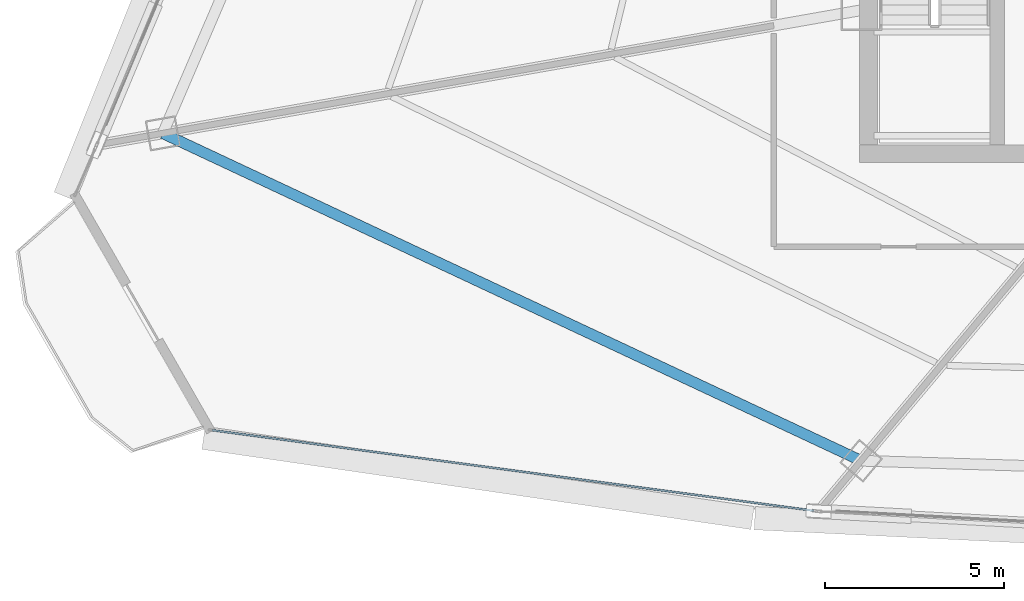
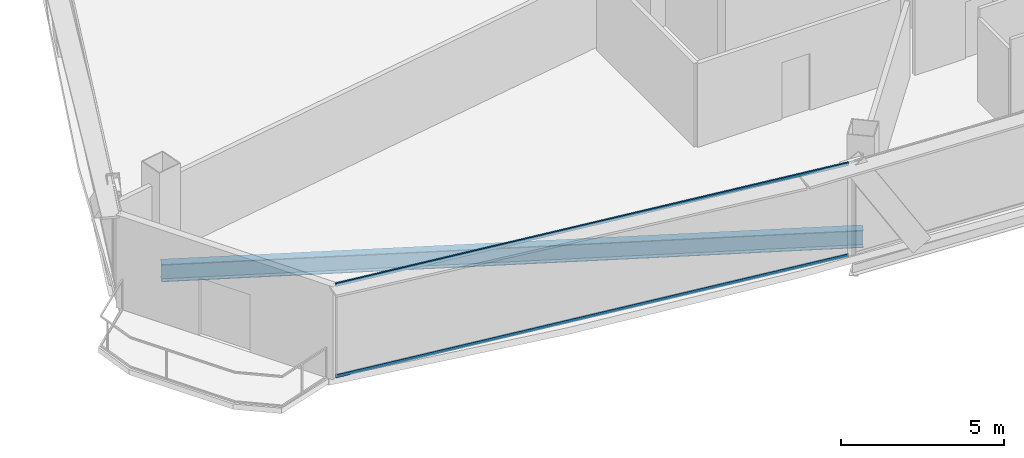
# One storey, part 3 of 37: 2 members, 1 beam, 1 element without a shape of its own.
"""IFC4 building model written with IfcOpenShell, lengths in metres."""

from ifc_helpers import new_model, si_unit, direction, frame, origin, origin_2d, place, context, subcontext, project, spatial, hollow_rectangle, i_section, extrude, source, transform, mapped, material, layer, layer_set, material_profile, profile_set, type_object, element, aggregate, save


model = new_model("IFC4")

# Units and contexts
model_context = context("Model", 3, precision=1e-05, world=origin(), true_north=direction((0.0, 1.0)))
body_context = subcontext(model_context, "Body", "Model", "MODEL_VIEW")
ifc_project = project(units=[si_unit("LENGTHUNIT", "METRE"), si_unit("AREAUNIT", "SQUARE_METRE"), si_unit("VOLUMEUNIT", "CUBIC_METRE"), si_unit("PLANEANGLEUNIT", "RADIAN"), si_unit("MASSUNIT", "GRAM", prefix="KILO"), si_unit("THERMODYNAMICTEMPERATUREUNIT", "KELVIN"), si_unit("POWERUNIT", "WATT")], contexts=[model_context])

# Site, building, storey
site_placement = place(None, origin())
site = spatial("IfcSite", under=ifc_project, at=site_placement, CompositionType="ELEMENT")
building_placement = place(site_placement, origin())
building = spatial("IfcBuilding", under=site, at=building_placement, Name="Yunzhuo Pagoda Commons", CompositionType="ELEMENT")
storey_placement = place(building_placement, frame((0.0, 0.0, 251.989990234375)))
storey = spatial("IfcBuildingStorey", under=building, at=storey_placement, Name="L63", CompositionType="ELEMENT", Elevation=251.989990234375)

# Beam
ifc_material_1 = material(Name="Structural steel Q355B", Category="steel")
ifc_material_profile_1 = material_profile(ifc_material_1, i_section(OverallWidth=0.300048828125, OverallDepth=0.64990234375, WebThickness=0.012939453125, FlangeThickness=0.02197265625, at=origin_2d()), Name="Structural steel Q355B")
ifc_profile_set_1 = profile_set([ifc_material_profile_1], Name="Structural steel Q355B")
beam_type = type_object("IfcBeamType", Name="B-RG2 Beam HN 650x300x13x22", PredefinedType="BEAM", material=ifc_profile_set_1)
shared_shape_1 = source(origin(), body_context, "Body", "SweptSolid", [
    extrude(i_section(OverallWidth=0.300048828125, OverallDepth=0.64990234375, WebThickness=0.012939453125, FlangeThickness=0.02197265625, at=origin_2d()), origin(), (0.0, 0.0, 1.0), 21.56689453125),
])
beam_placement = place(storey_placement, frame((16.06591796875, 28.069091796875, -0.5849609375), z_axis=(0.905424265365, -0.424507832304, 0.0), x_axis=(0.424507832304, 0.905424265365, 0.0)))
element("IfcBeam", 1, at=beam_placement, inside=storey, type_object=beam_type, Name="L63 column-ring beam 12", PredefinedType="BEAM", context=body_context, shape_type="MappedRepresentation", body=[
    mapped(shared_shape_1, transform((0.0, 0.0, 0.0), scale=1.0)),
])

# Curtain wall, members
ifc_material_2 = material(Name="Anodized aluminium 6063-T6", Category="aluminium")
ifc_layer = layer(ifc_material_2, 0.139892578125)
ifc_layer_set = layer_set([ifc_layer], Name="Anodized aluminium 6063-T6")
curtain_wall_type = type_object("IfcCurtainWallType", Name="CW-HI High-Zone Ribbon Curtain Wall", PredefinedType="NOTDEFINED", material=ifc_layer_set)
curtain_wall_placement = place(storey_placement, origin())
curtain_wall = element("IfcCurtainWall", 2, at=curtain_wall_placement, inside=storey, type_object=curtain_wall_type, Name="L63 curtain wall CW-L63-F1B1", PredefinedType="NOTDEFINED")
ifc_material_profile_2 = material_profile(ifc_material_2, hollow_rectangle(XDim=0.054931640625, YDim=0.1201171875, WallThickness=0.00341796875, at=origin_2d()), Name="Anodized aluminium 6063-T6")
ifc_profile_set_2 = profile_set([ifc_material_profile_2], Name="Anodized aluminium 6063-T6")
member_type = type_object("IfcMemberType", Name="CW-HI-T Transom RHS 120x55x3.5", PredefinedType="USERDEFINED", material=ifc_profile_set_2)
shared_shape_2 = source(origin(), body_context, "Body", "SweptSolid", [
    extrude(hollow_rectangle(XDim=0.054931640625, YDim=0.1201171875, WallThickness=0.00341796875, at=origin_2d()), origin(), (0.0, 0.0, 1.0), 16.98193359375),
])
member_1_placement = place(storey_placement, frame((17.43896484375, 19.7685546875, 0.027587890625), z_axis=(0.991158834011, -0.132680690992, 0.0), x_axis=(0.132680690992, 0.991158834011, 0.0)))
member_1 = element("IfcMember", 3, at=member_1_placement, type_object=member_type, Name="CW transom 1.1", ObjectType="TRANSOM", PredefinedType="USERDEFINED", context=body_context, shape_type="MappedRepresentation", body=[
    mapped(shared_shape_2, transform((0.0, 0.0, 0.0), scale=1.0)),
])
member_2_placement = place(storey_placement, frame((17.43896484375, 19.7685546875, 3.442626953125), z_axis=(0.991158834011, -0.132680690992, 0.0), x_axis=(0.132680690992, 0.991158834011, 0.0)))
member_2 = element("IfcMember", 4, at=member_2_placement, type_object=member_type, Name="CW transom 1.2", ObjectType="TRANSOM", PredefinedType="USERDEFINED", context=body_context, shape_type="MappedRepresentation", body=[
    mapped(shared_shape_2, transform((0.0, 0.0, 0.0), scale=1.0)),
])
aggregate(curtain_wall, [member_1, member_2])

save(model, "model.ifc")
